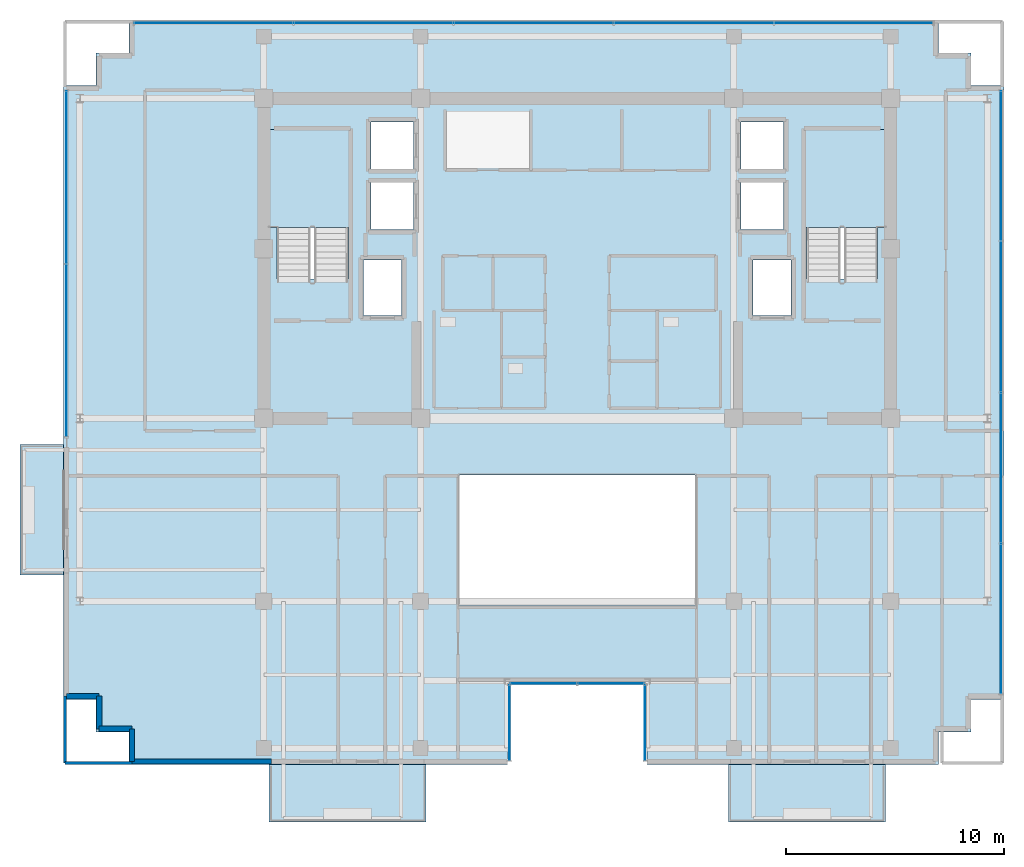
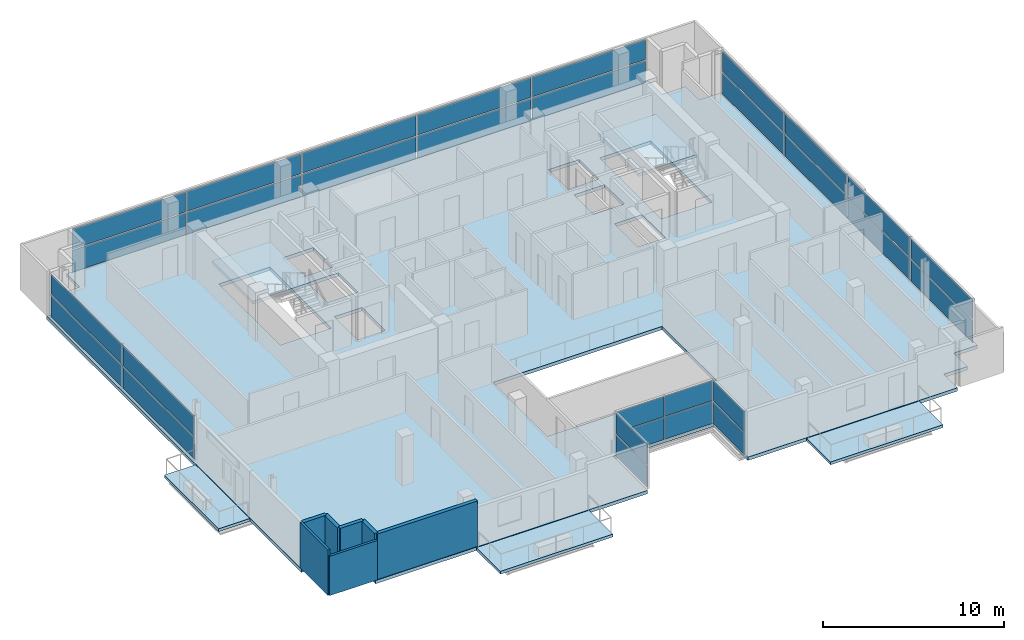
# One storey, part 14 of 22: 30 plates, 7 walls, 6 slabs, 8 elements without a shape of their own.
"""IFC4 building model written with IfcOpenShell, lengths in metres."""

from ifc_helpers import new_model, si_unit, direction, frame, frame_2d, origin, origin_2d, place, context, subcontext, project, spatial, polyline, rectangle, outline, extrude, source, transform, mapped, material, layer, layer_set, type_object, element, aggregate, save


model = new_model("IFC4")

# Units and contexts
model_context = context("Model", 3, precision=1e-05, world=origin(), true_north=direction((0.0, 1.0)))
body_context = subcontext(model_context, "Body", "Model", "MODEL_VIEW")
ifc_project = project(units=[si_unit("LENGTHUNIT", "METRE"), si_unit("AREAUNIT", "SQUARE_METRE"), si_unit("VOLUMEUNIT", "CUBIC_METRE"), si_unit("PLANEANGLEUNIT", "RADIAN"), si_unit("MASSUNIT", "GRAM", prefix="KILO")], contexts=[model_context])

# Site, building, storey
site_placement = place(None, origin())
site = spatial("IfcSite", under=ifc_project, at=site_placement, CompositionType="ELEMENT")
building_placement = place(site_placement, origin())
building = spatial("IfcBuilding", under=site, at=building_placement, Name="Zarnakvel Exchange Tower", CompositionType="ELEMENT")
storey_placement = place(building_placement, frame((0.0, 0.0, 222.10009765625)))
storey = spatial("IfcBuildingStorey", under=building, at=storey_placement, Name="L62", CompositionType="ELEMENT", Elevation=222.10009765625)

# Stair, slab
ifc_material_1 = material(Name="Concrete C40/50", Category="concrete")
stair_type = type_object("IfcStairType", Name="STR-01", PredefinedType="HALF_TURN_STAIR", material=ifc_material_1)
stair_1_placement = place(storey_placement, origin())
stair_1 = element("IfcStair", 1, at=stair_1_placement, inside=storey, type_object=stair_type, Name="L62 Protected Core Exit Stair ST-01", PredefinedType="HALF_TURN_STAIR")
ifc_layer_1 = layer(ifc_material_1, 0.199951171875)
ifc_layer_set_1 = layer_set([ifc_layer_1], Name="Concrete C40/50")
slab_type_1 = type_object("IfcSlabType", Name="LDG-01", PredefinedType="LANDING", material=ifc_layer_set_1)
slab_1_placement = place(storey_placement, frame((0.0, 0.0, 1.449951171875)))
slab_1 = element("IfcSlab", 2, at=slab_1_placement, type_object=slab_type_1, Name="ST-01 landing 1", PredefinedType="LANDING", context=body_context, shape_type="SweptSolid", body=[
    extrude(outline(polyline([(-14.18994140625, 7.570068359375), (-10.4599609375, 7.570068359375), (-10.4599609375, 12.080078125), (-14.18994140625, 12.080078125), (-14.18994140625, 7.570068359375)])), origin(), (0.0, 0.0, 1.0), 0.199951171875),
])
aggregate(stair_1, [slab_1])

stair_2_placement = place(storey_placement, origin())
stair_2 = element("IfcStair", 3, at=stair_2_placement, inside=storey, type_object=stair_type, Name="L62 Protected Core Exit Stair ST-02", PredefinedType="HALF_TURN_STAIR")
slab_2_placement = place(storey_placement, frame((0.0, 0.0, 1.449951171875)))
slab_2 = element("IfcSlab", 4, at=slab_2_placement, type_object=slab_type_1, Name="ST-02 landing 1", PredefinedType="LANDING", context=body_context, shape_type="SweptSolid", body=[
    extrude(outline(polyline([(10.4599609375, 7.570068359375), (14.18994140625, 7.570068359375), (14.18994140625, 12.080078125), (10.4599609375, 12.080078125), (10.4599609375, 7.570068359375)])), origin(), (0.0, 0.0, 1.0), 0.199951171875),
])
aggregate(stair_2, [slab_2])

# Slabs
ifc_layer_2 = layer(ifc_material_1, 0.22509765625)
ifc_layer_set_2 = layer_set([ifc_layer_2], Name="Concrete C40/50")
slab_type_2 = type_object("IfcSlabType", Name="SL-04", PredefinedType="FLOOR", material=ifc_layer_set_2)
slab_3_placement = place(storey_placement, frame((0.0, 0.0, -0.22509765625)))
element("IfcSlab", 5, at=slab_3_placement, inside=storey, type_object=slab_type_2, Name="L62 Primary Structural Floor Slab", PredefinedType="FLOOR", context=body_context, shape_type="SweptSolid", body=[
    extrude(outline(polyline([(-23.60009765625, -14.10009765625), (-22.10009765625, -14.10009765625), (-22.10009765625, -15.60009765625), (-20.60009765625, -15.60009765625), (-20.60009765625, -17.10009765625), (-3.199951171875, -17.10009765625), (-3.199951171875, -13.300048828125), (3.199951171875, -13.300048828125), (3.199951171875, -17.10009765625), (16.60009765625, -17.10009765625), (16.60009765625, -15.60009765625), (18.10009765625, -15.60009765625), (18.10009765625, -14.10009765625), (19.60009765625, -14.10009765625), (19.60009765625, 14.10009765625), (18.10009765625, 14.10009765625), (18.10009765625, 15.60009765625), (16.60009765625, 15.60009765625), (16.60009765625, 17.10009765625), (-20.60009765625, 17.10009765625), (-20.60009765625, 15.60009765625), (-22.10009765625, 15.60009765625), (-22.10009765625, 14.10009765625), (-23.60009765625, 14.10009765625), (-23.60009765625, -14.10009765625)]), holes=[polyline([(-5.39990234375, -9.800048828125), (5.39990234375, -9.800048828125), (5.39990234375, -3.800048828125), (-5.39990234375, -3.800048828125), (-5.39990234375, -9.800048828125)]), polyline([(-13.800048828125, 5.2099609375), (-10.5400390625, 5.2099609375), (-10.5400390625, 12.0), (-13.800048828125, 12.0), (-13.800048828125, 5.2099609375)]), polyline([(10.5400390625, 5.2099609375), (13.800048828125, 5.2099609375), (13.800048828125, 12.0), (10.5400390625, 12.0), (10.5400390625, 5.2099609375)]), polyline([(-9.830078125, 3.52001953125), (-8.070068359375, 3.52001953125), (-8.070068359375, 6.080078125), (-9.830078125, 6.080078125), (-9.830078125, 3.52001953125)]), polyline([(8.070068359375, 3.52001953125), (9.830078125, 3.52001953125), (9.830078125, 6.080078125), (8.070068359375, 6.080078125), (8.070068359375, 3.52001953125)]), polyline([(-9.47998046875, 7.469970703125), (-7.52001953125, 7.469970703125), (-7.52001953125, 9.6298828125), (-9.47998046875, 9.6298828125), (-9.47998046875, 7.469970703125)]), polyline([(-9.47998046875, 10.27001953125), (-7.52001953125, 10.27001953125), (-7.52001953125, 12.429931640625), (-9.47998046875, 12.429931640625), (-9.47998046875, 10.27001953125)]), polyline([(7.52001953125, 7.469970703125), (9.47998046875, 7.469970703125), (9.47998046875, 9.6298828125), (7.52001953125, 9.6298828125), (7.52001953125, 7.469970703125)]), polyline([(7.52001953125, 10.27001953125), (9.47998046875, 10.27001953125), (9.47998046875, 12.429931640625), (7.52001953125, 12.429931640625), (7.52001953125, 10.27001953125)])]), origin(), (0.0, 0.0, 1.0), 0.22509765625),
])
ifc_layer_3 = layer(ifc_material_1, 0.18994140625)
ifc_layer_set_3 = layer_set([ifc_layer_3], Name="Concrete C40/50")
slab_type_3 = type_object("IfcSlabType", Name="SL-08", PredefinedType="USERDEFINED", material=ifc_layer_set_3)
slab_4_placement = place(storey_placement, frame((0.0, 0.0, -0.22509765625)))
element("IfcSlab", 6, at=slab_4_placement, inside=storey, type_object=slab_type_3, Name="L62 Planted Loggia Balcony Slab BAL-L62-SW", ObjectType="BALCONY", PredefinedType="USERDEFINED", context=body_context, shape_type="SweptSolid", body=[
    extrude(outline(polyline([(-14.14990234375, -19.75), (-6.949951171875, -19.75), (-6.949951171875, -17.10009765625), (-14.14990234375, -17.10009765625), (-14.14990234375, -19.75)])), origin(), (0.0, 0.0, 1.0), 0.18994140625),
])
slab_5_placement = place(storey_placement, frame((0.0, 0.0, -0.22509765625)))
element("IfcSlab", 7, at=slab_5_placement, inside=storey, type_object=slab_type_3, Name="L62 Planted Loggia Balcony Slab BAL-L62-SE", ObjectType="BALCONY", PredefinedType="USERDEFINED", context=body_context, shape_type="SweptSolid", body=[
    extrude(outline(polyline([(6.949951171875, -19.75), (14.14990234375, -19.75), (14.14990234375, -17.10009765625), (6.949951171875, -17.10009765625), (6.949951171875, -19.75)])), origin(), (0.0, 0.0, 1.0), 0.18994140625),
])
slab_6_placement = place(storey_placement, frame((0.0, 0.0, -0.22509765625)))
element("IfcSlab", 8, at=slab_6_placement, inside=storey, type_object=slab_type_3, Name="L62 Planted Loggia Balcony Slab BAL-L62-W", ObjectType="BALCONY", PredefinedType="USERDEFINED", context=body_context, shape_type="SweptSolid", body=[
    extrude(outline(polyline([(-25.60009765625, -8.39990234375), (-23.60009765625, -8.39990234375), (-23.60009765625, -2.39990234375), (-25.60009765625, -2.39990234375), (-25.60009765625, -8.39990234375)])), origin(), (0.0, 0.0, 1.0), 0.18994140625),
])

# Curtain wall, plate
ifc_material_2 = material(Name="Architectural Bronze Anodised Aluminium", Category="aluminium")
ifc_layer_4 = layer(ifc_material_2, 0.179931640625)
ifc_layer_set_4 = layer_set([ifc_layer_4], Name="Architectural Bronze Anodised Aluminium")
curtain_wall_type_1 = type_object("IfcCurtainWallType", Name="CW-05", PredefinedType="NOTDEFINED", material=ifc_layer_set_4)
curtain_wall_1_placement = place(storey_placement, origin())
curtain_wall_1 = element("IfcCurtainWall", 9, at=curtain_wall_1_placement, inside=storey, type_object=curtain_wall_type_1, Name="L62 Curtain Wall CW-L62-SLW (CW-05)", PredefinedType="NOTDEFINED")
ifc_material_3 = material(Name="Double Low-E Laminated Vision Glass", Category="glass")
ifc_layer_5 = layer(ifc_material_3, 0.02587890625)
ifc_layer_set_5 = layer_set([ifc_layer_5], Name="Double Low-E Laminated Vision Glass")
plate_type_1 = type_object("IfcPlateType", Name="CWP-05", PredefinedType="CURTAIN_PANEL", material=ifc_layer_set_5)
shared_shape_1 = source(origin(), body_context, "Body", "SweptSolid", [
    extrude(rectangle(XDim=3.4599609375, YDim=0.02587890625, at=origin_2d()), origin(), (0.0, 0.0, 1.0), 1.483642578125),
])
plate_1_placement = place(storey_placement, frame((-3.1201171875, -15.179931640625, 0.06982421875), z_axis=(0.0, 0.0, 1.0), x_axis=(0.0, 1.0, 0.0)))
plate_1 = element("IfcPlate", 10, at=plate_1_placement, type_object=plate_type_1, Name="CW-05 panel 1.1", PredefinedType="CURTAIN_PANEL", context=body_context, shape_type="MappedRepresentation", body=[
    mapped(shared_shape_1, transform((0.0, 0.0, 0.0), x_axis=(1.0, 0.0, 0.0), y_axis=(0.0, 1.0, 0.0), z_axis=(0.0, 0.0, 1.0), scale=1.0)),
])

curtain_wall_2_placement = place(storey_placement, origin())
curtain_wall_2 = element("IfcCurtainWall", 11, at=curtain_wall_2_placement, inside=storey, type_object=curtain_wall_type_1, Name="L62 Curtain Wall CW-L62-SLE (CW-05)", PredefinedType="NOTDEFINED")
plate_2_placement = place(storey_placement, frame((3.1201171875, -15.179931640625, 0.06982421875), z_axis=(0.0, 0.0, 1.0), x_axis=(0.0, -1.0, 0.0)))
plate_2 = element("IfcPlate", 12, at=plate_2_placement, type_object=plate_type_1, Name="CW-05 panel 1.1", PredefinedType="CURTAIN_PANEL", context=body_context, shape_type="MappedRepresentation", body=[
    mapped(shared_shape_1, transform((0.0, 0.0, 0.0), x_axis=(1.0, 0.0, 0.0), y_axis=(0.0, 1.0, 0.0), z_axis=(0.0, 0.0, 1.0), scale=1.0)),
])

# Plate
shared_shape_2 = source(origin(), body_context, "Body", "SweptSolid", [
    extrude(rectangle(XDim=3.4599609375, YDim=0.02587890625, at=origin_2d()), origin(), (0.0, 0.0, 1.0), 1.361328125),
])
plate_3_placement = place(storey_placement, frame((-3.1201171875, -15.179931640625, 1.62353515625), z_axis=(0.0, 0.0, 1.0), x_axis=(0.0, 1.0, 0.0)))
plate_3 = element("IfcPlate", 13, at=plate_3_placement, type_object=plate_type_1, Name="CW-05 panel 1.2", PredefinedType="CURTAIN_PANEL", context=body_context, shape_type="MappedRepresentation", body=[
    mapped(shared_shape_2, transform((0.0, 0.0, 0.0), x_axis=(1.0, 0.0, 0.0), y_axis=(0.0, 1.0, 0.0), z_axis=(0.0, 0.0, 1.0), scale=1.0)),
])

aggregate(curtain_wall_1, [plate_1, plate_3])

plate_4_placement = place(storey_placement, frame((3.1201171875, -15.179931640625, 1.62353515625), z_axis=(0.0, 0.0, 1.0), x_axis=(0.0, -1.0, 0.0)))
plate_4 = element("IfcPlate", 14, at=plate_4_placement, type_object=plate_type_1, Name="CW-05 panel 1.2", PredefinedType="CURTAIN_PANEL", context=body_context, shape_type="MappedRepresentation", body=[
    mapped(shared_shape_2, transform((0.0, 0.0, 0.0), x_axis=(1.0, 0.0, 0.0), y_axis=(0.0, 1.0, 0.0), z_axis=(0.0, 0.0, 1.0), scale=1.0)),
])

aggregate(curtain_wall_2, [plate_2, plate_4])

# Curtain wall, plates
curtain_wall_3_placement = place(storey_placement, origin())
curtain_wall_3 = element("IfcCurtainWall", 15, at=curtain_wall_3_placement, inside=storey, type_object=curtain_wall_type_1, Name="L62 Curtain Wall CW-L62-SLB (CW-05)", PredefinedType="NOTDEFINED")
shared_shape_3 = source(origin(), body_context, "Body", "SweptSolid", [
    extrude(rectangle(XDim=3.014892578125, YDim=0.02587890625, at=origin_2d()), origin(), (0.0, 0.0, 1.0), 1.483642578125),
])
plate_5_placement = place(storey_placement, frame((-1.54248046875, -13.3798828125, 0.06982421875), z_axis=(0.0, 0.0, 1.0), x_axis=(1.0, 0.0, 0.0)))
plate_5 = element("IfcPlate", 16, at=plate_5_placement, type_object=plate_type_1, Name="CW-05 panel 1.1", PredefinedType="CURTAIN_PANEL", context=body_context, shape_type="MappedRepresentation", body=[
    mapped(shared_shape_3, transform((0.0, 0.0, 0.0), x_axis=(1.0, 0.0, 0.0), y_axis=(0.0, 1.0, 0.0), z_axis=(0.0, 0.0, 1.0), scale=1.0)),
])
plate_6_placement = place(storey_placement, frame((1.54248046875, -13.3798828125, 0.06982421875), z_axis=(0.0, 0.0, 1.0), x_axis=(1.0, 0.0, 0.0)))
plate_6 = element("IfcPlate", 17, at=plate_6_placement, type_object=plate_type_1, Name="CW-05 panel 2.1", PredefinedType="CURTAIN_PANEL", context=body_context, shape_type="MappedRepresentation", body=[
    mapped(shared_shape_3, transform((0.0, 0.0, 0.0), x_axis=(1.0, 0.0, 0.0), y_axis=(0.0, 1.0, 0.0), z_axis=(0.0, 0.0, 1.0), scale=1.0)),
])
shared_shape_4 = source(origin(), body_context, "Body", "SweptSolid", [
    extrude(rectangle(XDim=3.014892578125, YDim=0.02587890625, at=origin_2d()), origin(), (0.0, 0.0, 1.0), 1.361328125),
])
plate_7_placement = place(storey_placement, frame((-1.54248046875, -13.3798828125, 1.62353515625), z_axis=(0.0, 0.0, 1.0), x_axis=(1.0, 0.0, 0.0)))
plate_7 = element("IfcPlate", 18, at=plate_7_placement, type_object=plate_type_1, Name="CW-05 panel 1.2", PredefinedType="CURTAIN_PANEL", context=body_context, shape_type="MappedRepresentation", body=[
    mapped(shared_shape_4, transform((0.0, 0.0, 0.0), x_axis=(1.0, 0.0, 0.0), y_axis=(0.0, 1.0, 0.0), z_axis=(0.0, 0.0, 1.0), scale=1.0)),
])
plate_8_placement = place(storey_placement, frame((1.54248046875, -13.3798828125, 1.62353515625), z_axis=(0.0, 0.0, 1.0), x_axis=(1.0, 0.0, 0.0)))
plate_8 = element("IfcPlate", 19, at=plate_8_placement, type_object=plate_type_1, Name="CW-05 panel 2.2", PredefinedType="CURTAIN_PANEL", context=body_context, shape_type="MappedRepresentation", body=[
    mapped(shared_shape_4, transform((0.0, 0.0, 0.0), x_axis=(1.0, 0.0, 0.0), y_axis=(0.0, 1.0, 0.0), z_axis=(0.0, 0.0, 1.0), scale=1.0)),
])
aggregate(curtain_wall_3, [plate_5, plate_7, plate_6, plate_8])

ifc_layer_6 = layer(ifc_material_2, 0.199951171875)
ifc_layer_set_6 = layer_set([ifc_layer_6], Name="Architectural Bronze Anodised Aluminium")
curtain_wall_type_2 = type_object("IfcCurtainWallType", Name="CW-04", PredefinedType="NOTDEFINED", material=ifc_layer_set_6)
curtain_wall_4_placement = place(storey_placement, origin())
curtain_wall_4 = element("IfcCurtainWall", 20, at=curtain_wall_4_placement, inside=storey, type_object=curtain_wall_type_2, Name="L62 Curtain Wall CW-L62-E1 (CW-04)", PredefinedType="NOTDEFINED")
ifc_layer_7 = layer(ifc_material_3, 0.028076171875)
ifc_layer_set_7 = layer_set([ifc_layer_7], Name="Double Low-E Laminated Vision Glass")
plate_type_2 = type_object("IfcPlateType", Name="CWP-04", PredefinedType="CURTAIN_PANEL", material=ifc_layer_set_7)
shared_shape_5 = source(origin(), body_context, "Body", "SweptSolid", [
    extrude(rectangle(XDim=6.83740234375, YDim=0.028076171875, at=origin_2d()), origin(), (0.0, 0.0, 1.0), 1.47607421875),
])
plate_9_placement = place(storey_placement, frame((19.4599609375, -10.40625, 0.074951171875), z_axis=(0.0, 0.0, 1.0), x_axis=(0.0, 1.0, 0.0)))
plate_9 = element("IfcPlate", 21, at=plate_9_placement, type_object=plate_type_2, Name="CW-04 panel 1.1", PredefinedType="CURTAIN_PANEL", context=body_context, shape_type="MappedRepresentation", body=[
    mapped(shared_shape_5, transform((0.0, 0.0, 0.0), x_axis=(1.0, 0.0, 0.0), y_axis=(0.0, 1.0, 0.0), z_axis=(0.0, 0.0, 1.0), scale=1.0)),
])
plate_10_placement = place(storey_placement, frame((19.4599609375, 10.40625, 0.074951171875), z_axis=(0.0, 0.0, 1.0), x_axis=(0.0, 1.0, 0.0)))
plate_10 = element("IfcPlate", 22, at=plate_10_placement, type_object=plate_type_2, Name="CW-04 panel 4.1", PredefinedType="CURTAIN_PANEL", context=body_context, shape_type="MappedRepresentation", body=[
    mapped(shared_shape_5, transform((0.0, 0.0, 0.0), x_axis=(1.0, 0.0, 0.0), y_axis=(0.0, 1.0, 0.0), z_axis=(0.0, 0.0, 1.0), scale=1.0)),
])
shared_shape_6 = source(origin(), body_context, "Body", "SweptSolid", [
    extrude(rectangle(XDim=6.83740234375, YDim=0.028076171875, at=origin_2d()), origin(), (0.0, 0.0, 1.0), 1.35400390625),
])
plate_11_placement = place(storey_placement, frame((19.4599609375, -10.40625, 1.6259765625), z_axis=(0.0, 0.0, 1.0), x_axis=(0.0, 1.0, 0.0)))
plate_11 = element("IfcPlate", 23, at=plate_11_placement, type_object=plate_type_2, Name="CW-04 panel 1.2", PredefinedType="CURTAIN_PANEL", context=body_context, shape_type="MappedRepresentation", body=[
    mapped(shared_shape_6, transform((0.0, 0.0, 0.0), x_axis=(1.0, 0.0, 0.0), y_axis=(0.0, 1.0, 0.0), z_axis=(0.0, 0.0, 1.0), scale=1.0)),
])
plate_12_placement = place(storey_placement, frame((19.4599609375, 10.40625, 1.6259765625), z_axis=(0.0, 0.0, 1.0), x_axis=(0.0, 1.0, 0.0)))
plate_12 = element("IfcPlate", 24, at=plate_12_placement, type_object=plate_type_2, Name="CW-04 panel 4.2", PredefinedType="CURTAIN_PANEL", context=body_context, shape_type="MappedRepresentation", body=[
    mapped(shared_shape_6, transform((0.0, 0.0, 0.0), x_axis=(1.0, 0.0, 0.0), y_axis=(0.0, 1.0, 0.0), z_axis=(0.0, 0.0, 1.0), scale=1.0)),
])
shared_shape_7 = source(origin(), body_context, "Body", "SweptSolid", [
    extrude(rectangle(XDim=6.875, YDim=0.028076171875, at=origin_2d()), origin(), (0.0, 0.0, 1.0), 1.47607421875),
])
plate_13_placement = place(storey_placement, frame((19.4599609375, -3.47509765625, 0.074951171875), z_axis=(0.0, 0.0, 1.0), x_axis=(0.0, 1.0, 0.0)))
plate_13 = element("IfcPlate", 25, at=plate_13_placement, type_object=plate_type_2, Name="CW-04 panel 2.1", PredefinedType="CURTAIN_PANEL", context=body_context, shape_type="MappedRepresentation", body=[
    mapped(shared_shape_7, transform((0.0, 0.0, 0.0), x_axis=(1.0, 0.0, 0.0), y_axis=(0.0, 1.0, 0.0), z_axis=(0.0, 0.0, 1.0), scale=1.0)),
])
plate_14_placement = place(storey_placement, frame((19.4599609375, 3.47509765625, 0.074951171875), z_axis=(0.0, 0.0, 1.0), x_axis=(0.0, 1.0, 0.0)))
plate_14 = element("IfcPlate", 26, at=plate_14_placement, type_object=plate_type_2, Name="CW-04 panel 3.1", PredefinedType="CURTAIN_PANEL", context=body_context, shape_type="MappedRepresentation", body=[
    mapped(shared_shape_7, transform((0.0, 0.0, 0.0), x_axis=(1.0, 0.0, 0.0), y_axis=(0.0, 1.0, 0.0), z_axis=(0.0, 0.0, 1.0), scale=1.0)),
])
shared_shape_8 = source(origin(), body_context, "Body", "SweptSolid", [
    extrude(rectangle(XDim=6.875, YDim=0.028076171875, at=origin_2d()), origin(), (0.0, 0.0, 1.0), 1.35400390625),
])
plate_15_placement = place(storey_placement, frame((19.4599609375, -3.47509765625, 1.6259765625), z_axis=(0.0, 0.0, 1.0), x_axis=(0.0, 1.0, 0.0)))
plate_15 = element("IfcPlate", 27, at=plate_15_placement, type_object=plate_type_2, Name="CW-04 panel 2.2", PredefinedType="CURTAIN_PANEL", context=body_context, shape_type="MappedRepresentation", body=[
    mapped(shared_shape_8, transform((0.0, 0.0, 0.0), x_axis=(1.0, 0.0, 0.0), y_axis=(0.0, 1.0, 0.0), z_axis=(0.0, 0.0, 1.0), scale=1.0)),
])
plate_16_placement = place(storey_placement, frame((19.4599609375, 3.47509765625, 1.6259765625), z_axis=(0.0, 0.0, 1.0), x_axis=(0.0, 1.0, 0.0)))
plate_16 = element("IfcPlate", 28, at=plate_16_placement, type_object=plate_type_2, Name="CW-04 panel 3.2", PredefinedType="CURTAIN_PANEL", context=body_context, shape_type="MappedRepresentation", body=[
    mapped(shared_shape_8, transform((0.0, 0.0, 0.0), x_axis=(1.0, 0.0, 0.0), y_axis=(0.0, 1.0, 0.0), z_axis=(0.0, 0.0, 1.0), scale=1.0)),
])
aggregate(curtain_wall_4, [plate_9, plate_11, plate_13, plate_15, plate_14, plate_16, plate_10, plate_12])

curtain_wall_5_placement = place(storey_placement, origin())
curtain_wall_5 = element("IfcCurtainWall", 29, at=curtain_wall_5_placement, inside=storey, type_object=curtain_wall_type_2, Name="L62 Curtain Wall CW-L62-WN (CW-04)", PredefinedType="NOTDEFINED")
shared_shape_9 = source(origin(), body_context, "Body", "SweptSolid", [
    extrude(rectangle(XDim=7.887451171875, YDim=0.028076171875, at=origin_2d()), origin(), (0.0, 0.0, 1.0), 1.47607421875),
])
plate_17_placement = place(storey_placement, frame((-23.4599609375, 1.918701171875, 0.074951171875), z_axis=(0.0, 0.0, 1.0), x_axis=(0.0, 1.0, 0.0)))
plate_17 = element("IfcPlate", 30, at=plate_17_placement, type_object=plate_type_2, Name="CW-04 panel 1.1", PredefinedType="CURTAIN_PANEL", context=body_context, shape_type="MappedRepresentation", body=[
    mapped(shared_shape_9, transform((0.0, 0.0, 0.0), x_axis=(1.0, 0.0, 0.0), y_axis=(0.0, 1.0, 0.0), z_axis=(0.0, 0.0, 1.0), scale=1.0)),
])
plate_18_placement = place(storey_placement, frame((-23.4599609375, 9.88134765625, 0.074951171875), z_axis=(0.0, 0.0, 1.0), x_axis=(0.0, 1.0, 0.0)))
plate_18 = element("IfcPlate", 31, at=plate_18_placement, type_object=plate_type_2, Name="CW-04 panel 2.1", PredefinedType="CURTAIN_PANEL", context=body_context, shape_type="MappedRepresentation", body=[
    mapped(shared_shape_9, transform((0.0, 0.0, 0.0), x_axis=(1.0, 0.0, 0.0), y_axis=(0.0, 1.0, 0.0), z_axis=(0.0, 0.0, 1.0), scale=1.0)),
])
shared_shape_10 = source(origin(), body_context, "Body", "SweptSolid", [
    extrude(rectangle(XDim=7.887451171875, YDim=0.028076171875, at=origin_2d()), origin(), (0.0, 0.0, 1.0), 1.35400390625),
])
plate_19_placement = place(storey_placement, frame((-23.4599609375, 1.918701171875, 1.6259765625), z_axis=(0.0, 0.0, 1.0), x_axis=(0.0, 1.0, 0.0)))
plate_19 = element("IfcPlate", 32, at=plate_19_placement, type_object=plate_type_2, Name="CW-04 panel 1.2", PredefinedType="CURTAIN_PANEL", context=body_context, shape_type="MappedRepresentation", body=[
    mapped(shared_shape_10, transform((0.0, 0.0, 0.0), x_axis=(1.0, 0.0, 0.0), y_axis=(0.0, 1.0, 0.0), z_axis=(0.0, 0.0, 1.0), scale=1.0)),
])
plate_20_placement = place(storey_placement, frame((-23.4599609375, 9.88134765625, 1.6259765625), z_axis=(0.0, 0.0, 1.0), x_axis=(0.0, 1.0, 0.0)))
plate_20 = element("IfcPlate", 33, at=plate_20_placement, type_object=plate_type_2, Name="CW-04 panel 2.2", PredefinedType="CURTAIN_PANEL", context=body_context, shape_type="MappedRepresentation", body=[
    mapped(shared_shape_10, transform((0.0, 0.0, 0.0), x_axis=(1.0, 0.0, 0.0), y_axis=(0.0, 1.0, 0.0), z_axis=(0.0, 0.0, 1.0), scale=1.0)),
])
aggregate(curtain_wall_5, [plate_17, plate_19, plate_18, plate_20])

ifc_layer_8 = layer(ifc_material_2, 0.219970703125)
ifc_layer_set_8 = layer_set([ifc_layer_8], Name="Architectural Bronze Anodised Aluminium")
curtain_wall_type_3 = type_object("IfcCurtainWallType", Name="CW-03", PredefinedType="NOTDEFINED", material=ifc_layer_set_8)
curtain_wall_6_placement = place(storey_placement, origin())
curtain_wall_6 = element("IfcCurtainWall", 34, at=curtain_wall_6_placement, inside=storey, type_object=curtain_wall_type_3, Name="L62 Curtain Wall CW-L62-N1 (CW-03)", PredefinedType="NOTDEFINED")
ifc_layer_9 = layer(ifc_material_3, 0.030029296875)
ifc_layer_set_9 = layer_set([ifc_layer_9], Name="Double Low-E Laminated Vision Glass")
plate_type_3 = type_object("IfcPlateType", Name="CWP-03", PredefinedType="CURTAIN_PANEL", material=ifc_layer_set_9)
shared_shape_11 = source(origin(), body_context, "Body", "SweptSolid", [
    extrude(rectangle(XDim=7.239990234375, YDim=0.030029296875, at=origin_2d()), origin(), (0.0, 0.0, 1.0), 1.468505859375),
])
plate_21_placement = place(storey_placement, frame((-16.699951171875, 16.9599609375, 0.080078125), z_axis=(0.0, 0.0, 1.0), x_axis=(1.0, 0.0, 0.0)))
plate_21 = element("IfcPlate", 35, at=plate_21_placement, type_object=plate_type_3, Name="CW-03 panel 1.1", PredefinedType="CURTAIN_PANEL", context=body_context, shape_type="MappedRepresentation", body=[
    mapped(shared_shape_11, transform((0.0, 0.0, 0.0), x_axis=(1.0, 0.0, 0.0), y_axis=(0.0, 1.0, 0.0), z_axis=(0.0, 0.0, 1.0), scale=1.0)),
])
plate_22_placement = place(storey_placement, frame((12.699951171875, 16.9599609375, 0.080078125), z_axis=(0.0, 0.0, 1.0), x_axis=(1.0, 0.0, 0.0)))
plate_22 = element("IfcPlate", 36, at=plate_22_placement, type_object=plate_type_3, Name="CW-03 panel 5.1", PredefinedType="CURTAIN_PANEL", context=body_context, shape_type="MappedRepresentation", body=[
    mapped(shared_shape_11, transform((0.0, 0.0, 0.0), x_axis=(1.0, 0.0, 0.0), y_axis=(0.0, 1.0, 0.0), z_axis=(0.0, 0.0, 1.0), scale=1.0)),
])
shared_shape_12 = source(origin(), body_context, "Body", "SweptSolid", [
    extrude(rectangle(XDim=7.239990234375, YDim=0.030029296875, at=origin_2d()), origin(), (0.0, 0.0, 1.0), 1.346435546875),
])
plate_23_placement = place(storey_placement, frame((-16.699951171875, 16.9599609375, 1.62841796875), z_axis=(0.0, 0.0, 1.0), x_axis=(1.0, 0.0, 0.0)))
plate_23 = element("IfcPlate", 37, at=plate_23_placement, type_object=plate_type_3, Name="CW-03 panel 1.2", PredefinedType="CURTAIN_PANEL", context=body_context, shape_type="MappedRepresentation", body=[
    mapped(shared_shape_12, transform((0.0, 0.0, 0.0), x_axis=(1.0, 0.0, 0.0), y_axis=(0.0, 1.0, 0.0), z_axis=(0.0, 0.0, 1.0), scale=1.0)),
])
plate_24_placement = place(storey_placement, frame((12.699951171875, 16.9599609375, 1.62841796875), z_axis=(0.0, 0.0, 1.0), x_axis=(1.0, 0.0, 0.0)))
plate_24 = element("IfcPlate", 38, at=plate_24_placement, type_object=plate_type_3, Name="CW-03 panel 5.2", PredefinedType="CURTAIN_PANEL", context=body_context, shape_type="MappedRepresentation", body=[
    mapped(shared_shape_12, transform((0.0, 0.0, 0.0), x_axis=(1.0, 0.0, 0.0), y_axis=(0.0, 1.0, 0.0), z_axis=(0.0, 0.0, 1.0), scale=1.0)),
])
shared_shape_13 = source(origin(), body_context, "Body", "SweptSolid", [
    extrude(rectangle(XDim=7.280029296875, YDim=0.030029296875, at=origin_2d()), origin(), (0.0, 0.0, 1.0), 1.468505859375),
])
plate_25_placement = place(storey_placement, frame((-9.360107421875, 16.9599609375, 0.080078125), z_axis=(0.0, 0.0, 1.0), x_axis=(1.0, 0.0, 0.0)))
plate_25 = element("IfcPlate", 39, at=plate_25_placement, type_object=plate_type_3, Name="CW-03 panel 2.1", PredefinedType="CURTAIN_PANEL", context=body_context, shape_type="MappedRepresentation", body=[
    mapped(shared_shape_13, transform((0.0, 0.0, 0.0), x_axis=(1.0, 0.0, 0.0), y_axis=(0.0, 1.0, 0.0), z_axis=(0.0, 0.0, 1.0), scale=1.0)),
])
plate_26_placement = place(storey_placement, frame((-2.0, 16.9599609375, 0.080078125), z_axis=(0.0, 0.0, 1.0), x_axis=(1.0, 0.0, 0.0)))
plate_26 = element("IfcPlate", 40, at=plate_26_placement, type_object=plate_type_3, Name="CW-03 panel 3.1", PredefinedType="CURTAIN_PANEL", context=body_context, shape_type="MappedRepresentation", body=[
    mapped(shared_shape_13, transform((0.0, 0.0, 0.0), x_axis=(1.0, 0.0, 0.0), y_axis=(0.0, 1.0, 0.0), z_axis=(0.0, 0.0, 1.0), scale=1.0)),
])
plate_27_placement = place(storey_placement, frame((5.360107421875, 16.9599609375, 0.080078125), z_axis=(0.0, 0.0, 1.0), x_axis=(1.0, 0.0, 0.0)))
plate_27 = element("IfcPlate", 41, at=plate_27_placement, type_object=plate_type_3, Name="CW-03 panel 4.1", PredefinedType="CURTAIN_PANEL", context=body_context, shape_type="MappedRepresentation", body=[
    mapped(shared_shape_13, transform((0.0, 0.0, 0.0), x_axis=(1.0, 0.0, 0.0), y_axis=(0.0, 1.0, 0.0), z_axis=(0.0, 0.0, 1.0), scale=1.0)),
])
shared_shape_14 = source(origin(), body_context, "Body", "SweptSolid", [
    extrude(rectangle(XDim=7.280029296875, YDim=0.030029296875, at=origin_2d()), origin(), (0.0, 0.0, 1.0), 1.346435546875),
])
plate_28_placement = place(storey_placement, frame((-9.360107421875, 16.9599609375, 1.62841796875), z_axis=(0.0, 0.0, 1.0), x_axis=(1.0, 0.0, 0.0)))
plate_28 = element("IfcPlate", 42, at=plate_28_placement, type_object=plate_type_3, Name="CW-03 panel 2.2", PredefinedType="CURTAIN_PANEL", context=body_context, shape_type="MappedRepresentation", body=[
    mapped(shared_shape_14, transform((0.0, 0.0, 0.0), x_axis=(1.0, 0.0, 0.0), y_axis=(0.0, 1.0, 0.0), z_axis=(0.0, 0.0, 1.0), scale=1.0)),
])
plate_29_placement = place(storey_placement, frame((-2.0, 16.9599609375, 1.62841796875), z_axis=(0.0, 0.0, 1.0), x_axis=(1.0, 0.0, 0.0)))
plate_29 = element("IfcPlate", 43, at=plate_29_placement, type_object=plate_type_3, Name="CW-03 panel 3.2", PredefinedType="CURTAIN_PANEL", context=body_context, shape_type="MappedRepresentation", body=[
    mapped(shared_shape_14, transform((0.0, 0.0, 0.0), x_axis=(1.0, 0.0, 0.0), y_axis=(0.0, 1.0, 0.0), z_axis=(0.0, 0.0, 1.0), scale=1.0)),
])
plate_30_placement = place(storey_placement, frame((5.360107421875, 16.9599609375, 1.62841796875), z_axis=(0.0, 0.0, 1.0), x_axis=(1.0, 0.0, 0.0)))
plate_30 = element("IfcPlate", 44, at=plate_30_placement, type_object=plate_type_3, Name="CW-03 panel 4.2", PredefinedType="CURTAIN_PANEL", context=body_context, shape_type="MappedRepresentation", body=[
    mapped(shared_shape_14, transform((0.0, 0.0, 0.0), x_axis=(1.0, 0.0, 0.0), y_axis=(0.0, 1.0, 0.0), z_axis=(0.0, 0.0, 1.0), scale=1.0)),
])
aggregate(curtain_wall_6, [plate_21, plate_23, plate_25, plate_28, plate_26, plate_29, plate_27, plate_30, plate_22, plate_24])

# Walls
ifc_material_4 = material(Name="Precast concrete C40/50", Category="concrete")
ifc_layer_10 = layer(ifc_material_4, 0.239990234375)
ifc_layer_set_10 = layer_set([ifc_layer_10], Name="Precast concrete C40/50")
wall_type_1 = type_object("IfcWallType", Name="EW-02", PredefinedType="SOLIDWALL", material=ifc_layer_set_10)
wall_1_placement = place(storey_placement, frame((-20.4599609375, -16.9599609375, 0.0), z_axis=(0.0, 0.0, 1.0), x_axis=(1.0, 0.0, 0.0)))
element("IfcWall", 45, at=wall_1_placement, inside=storey, type_object=wall_type_1, Name="L62 Exterior Precast Spandrel Wall EWC-L62-22 (EW-02)", PredefinedType="SOLIDWALL", context=body_context, shape_type="SweptSolid", body=[
    extrude(rectangle(XDim=6.409912109375, YDim=0.239990234375, at=frame_2d((3.205078125, 0.0))), origin(), (0.0, 0.0, 1.0), 3.074951171875),
])
for number, where, z_axis, x_axis, name in (
    (46, (-20.4599609375, -15.4599609375, 0.0), (0.0, 0.0, 1.0), (0.0, -1.0, 0.0), "L62 Exterior Precast Spandrel Wall EWC-L62-23 (EW-02)"),
    (47, (-21.9599609375, -15.4599609375, 0.0), (0.0, 0.0, 1.0), (1.0, 0.0, 0.0), "L62 Exterior Precast Spandrel Wall EWC-L62-24 (EW-02)"),
    (48, (-21.9599609375, -13.9599609375, 0.0), (0.0, 0.0, 1.0), (0.0, -1.0, 0.0), "L62 Exterior Precast Spandrel Wall EWC-L62-25 (EW-02)"),
    (49, (-23.4599609375, -13.9599609375, 0.0), (0.0, 0.0, 1.0), (1.0, 0.0, 0.0), "L62 Exterior Precast Spandrel Wall EWC-L62-26 (EW-02)"),
):
    element("IfcWall", number, at=place(storey_placement, frame(where, z_axis=z_axis, x_axis=x_axis)), inside=storey, type_object=wall_type_1, Name=name, PredefinedType="SOLIDWALL", context=body_context, shape_type="SweptSolid", body=[
        extrude(rectangle(XDim=1.5, YDim=0.239990234375, at=frame_2d((0.75, 0.0))), origin(), (0.0, 0.0, 1.0), 3.074951171875),
    ])
ifc_material_5 = material(Name="Fire-Rated Gypsum Stud Partition", Category="gypsum")
ifc_layer_11 = layer(ifc_material_5, 0.14990234375)
ifc_layer_set_11 = layer_set([ifc_layer_11], Name="Fire-Rated Gypsum Stud Partition")
wall_type_2 = type_object("IfcWallType", Name="PT-01", PredefinedType="PARTITIONING", material=ifc_layer_set_11)
wall_2_placement = place(storey_placement, frame((-20.4599609375, -17.030029296875, 0.0), z_axis=(0.0, 0.0, 1.0), x_axis=(-1.0, 0.0, 0.0)))
element("IfcWall", 50, at=wall_2_placement, inside=storey, type_object=wall_type_2, Name="L62 Partition Wall PWALL-L62-044 (PT-01)", PredefinedType="PARTITIONING", context=body_context, shape_type="SweptSolid", body=[
    extrude(rectangle(XDim=3.070068359375, YDim=0.14990234375, at=frame_2d((1.53515625, 0.0))), origin(), (0.0, 0.0, 1.0), 2.664794921875),
])
wall_3_placement = place(storey_placement, frame((-23.530029296875, -17.030029296875, 0.0), z_axis=(0.0, 0.0, 1.0), x_axis=(0.0, 1.0, 0.0)))
element("IfcWall", 51, at=wall_3_placement, inside=storey, type_object=wall_type_2, Name="L62 Partition Wall PWALL-L62-046 (PT-01)", PredefinedType="PARTITIONING", context=body_context, shape_type="SweptSolid", body=[
    extrude(rectangle(XDim=3.070068359375, YDim=0.14990234375, at=frame_2d((1.53515625, 0.0))), origin(), (0.0, 0.0, 1.0), 3.074951171875),
])

save(model, "model.ifc")
